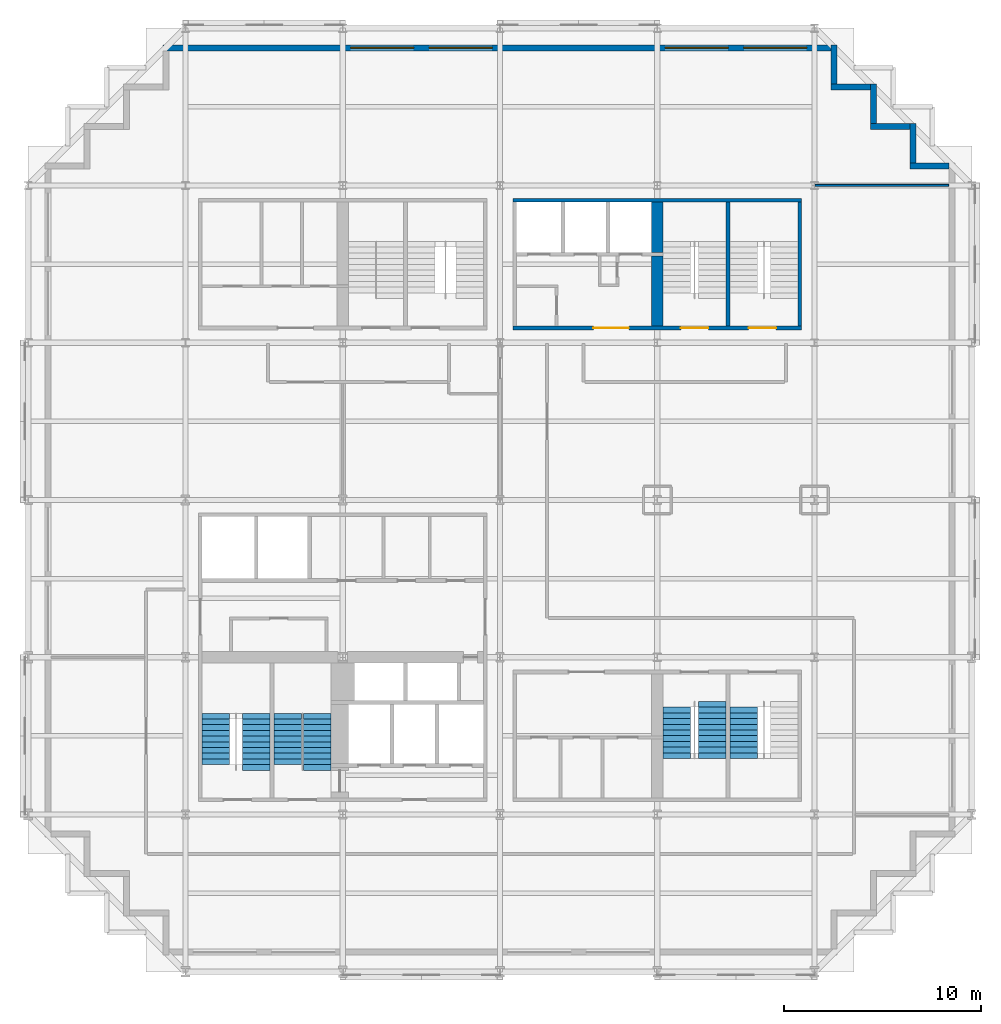
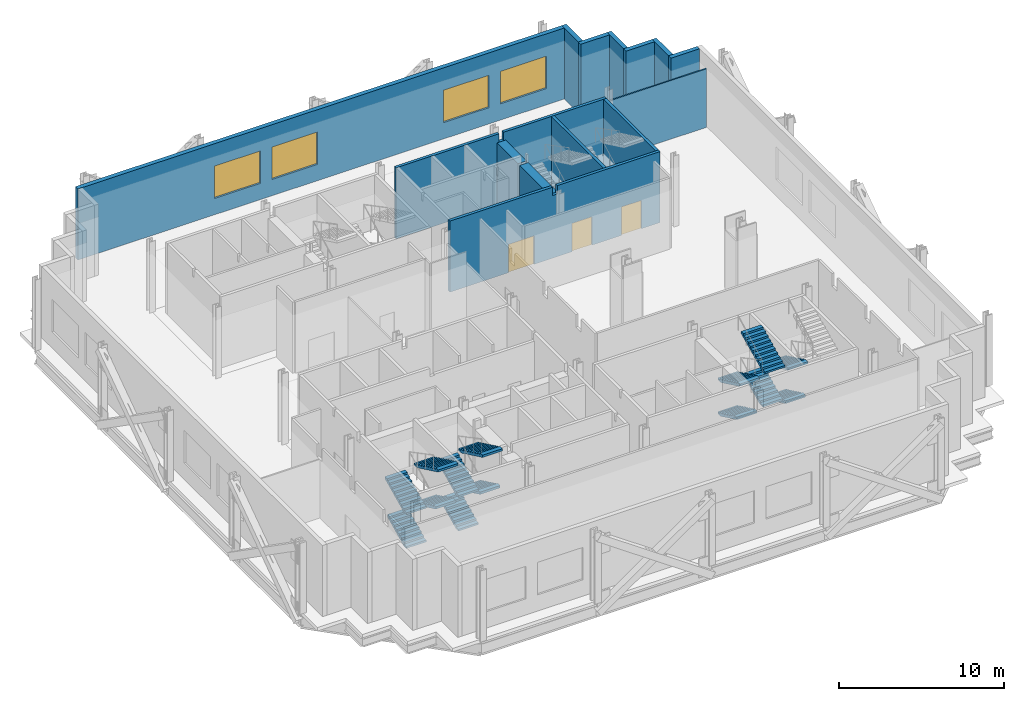
# One storey, part 8 of 10: 14 stair flights, 14 walls, 4 windows, 3 doors, 7 openings, 4 elements without a shape of their own.
"""IFC4 building model written with IfcOpenShell, lengths in metres."""

from ifc_helpers import new_model, si_unit, direction, frame, frame_2d, origin, place, context, subcontext, project, spatial, polyline, rectangle, outline, extrude, material, layer, layer_set, type_object, element, fill, aggregate, save


model = new_model("IFC4")

# Units and contexts
model_context = context("Model", 3, precision=1e-05, world=origin(), true_north=direction((0.0, 1.0)))
body_context = subcontext(model_context, "Body", "Model", "MODEL_VIEW")
ifc_project = project(units=[si_unit("LENGTHUNIT", "METRE"), si_unit("AREAUNIT", "SQUARE_METRE"), si_unit("VOLUMEUNIT", "CUBIC_METRE"), si_unit("PLANEANGLEUNIT", "RADIAN"), si_unit("MASSUNIT", "GRAM", prefix="KILO")], contexts=[model_context])

# Site, building, storey
site_placement = place(None, origin())
site = spatial("IfcSite", under=ifc_project, at=site_placement, CompositionType="ELEMENT")
building_placement = place(site_placement, origin())
building = spatial("IfcBuilding", under=site, at=building_placement, Name="Immortelle Media Tower", CompositionType="ELEMENT")
storey_placement = place(building_placement, frame((0.0, 0.0, 29.39990234375)))
storey = spatial("IfcBuildingStorey", under=building, at=storey_placement, Name="L03", CompositionType="ELEMENT", Elevation=29.39990234375)

# Walls
ifc_material_1 = material(Name="Pale aluminium cladding panel", Category="aluminium")
ifc_layer_1 = layer(ifc_material_1, 0.030029296875)
ifc_material_2 = material(Name="Steel ASTM A653 SS Gr 50 stud frame with mineral wool", Category="steel")
ifc_layer_2 = layer(ifc_material_2, 0.257568359375)
ifc_material_3 = material(Name="Moisture-resistant gypsum board", Category="gypsum")
ifc_layer_3 = layer(ifc_material_3, 0.012451171875)
ifc_layer_set_1 = layer_set([ifc_layer_1, ifc_layer_2, ifc_layer_3], Name="Steel ASTM A653 SS Gr 50 stud frame with mineral wool")
wall_type_1 = type_object("IfcWallType", Name="Pale metal clad wall 300", PredefinedType="STANDARD", material=ifc_layer_set_1)
for number, where, z_axis, x_axis, name in (
    (1, (46.85009765625, 41.0, 0.0), (0.0, 0.0, 1.0), (-1.0, 0.0, 0.0), "Support floor wall L03 N 15"),
    (2, (45.0, 41.14990234375, 0.0), (0.0, 0.0, 1.0), (0.0, 1.0, 0.0), "Support floor wall L03 E 16"),
    (3, (44.85009765625, 43.0, 0.0), (0.0, 0.0, 1.0), (-1.0, 0.0, 0.0), "Support floor wall L03 N 17"),
    (4, (43.0, 43.14990234375, 0.0), (0.0, 0.0, 1.0), (0.0, 1.0, 0.0), "Support floor wall L03 E 18"),
    (5, (42.85009765625, 45.0, 0.0), (0.0, 0.0, 1.0), (-1.0, 0.0, 0.0), "Support floor wall L03 N 19"),
    (6, (41.0, 45.14990234375, 0.0), (0.0, 0.0, 1.0), (0.0, 1.0, 0.0), "Support floor wall L03 E 20"),
):
    element("IfcWall", number, at=place(storey_placement, frame(where, z_axis=z_axis, x_axis=x_axis)), inside=storey, type_object=wall_type_1, Name=name, PredefinedType="STANDARD", context=body_context, shape_type="SweptSolid", body=[
        extrude(rectangle(XDim=2.0, YDim=0.300048828125, at=frame_2d((1.0, 0.0))), origin(), (0.0, 0.0, 1.0), 5.25),
    ])

# Wall, openings, windows
wall_1_placement = place(storey_placement, frame((40.85009765625, 47.0, 0.0), z_axis=(0.0, 0.0, 1.0), x_axis=(-1.0, 0.0, 0.0)))
wall_1 = element("IfcWall", 7, at=wall_1_placement, inside=storey, type_object=wall_type_1, Name="Support floor wall L03 N 21", PredefinedType="STANDARD", context=body_context, shape_type="SweptSolid", body=[
    extrude(rectangle(XDim=34.0, YDim=0.300048828125, at=frame_2d((17.0, 0.0))), origin(), (0.0, 0.0, 1.0), 5.25),
])
opening_1_placement = place(wall_1_placement, frame((1.25, 0.0, 1.199951171875)))
opening_1 = element("IfcOpeningElement", 8, at=opening_1_placement, cuts=wall_1, Name="Opening WE1", PredefinedType="OPENING", context=body_context, shape_type="SweptSolid", body=[
    extrude(rectangle(XDim=3.199951171875, YDim=2.39990234375, at=frame_2d((1.60009765625, 1.199951171875))), frame((0.0, 0.159912109375, 0.0), z_axis=(0.0, -1.0, 0.0), x_axis=(1.0, 0.0, 0.0)), (0.0, 0.0, 1.0), 0.320068359375),
])
opening_2_placement = place(wall_1_placement, frame((5.25, 0.0, 1.199951171875)))
opening_2 = element("IfcOpeningElement", 9, at=opening_2_placement, cuts=wall_1, Name="Opening WE1", PredefinedType="OPENING", context=body_context, shape_type="SweptSolid", body=[
    extrude(rectangle(XDim=3.199951171875, YDim=2.39990234375, at=frame_2d((1.60009765625, 1.199951171875))), frame((0.0, 0.159912109375, 0.0), z_axis=(0.0, -1.0, 0.0), x_axis=(1.0, 0.0, 0.0)), (0.0, 0.0, 1.0), 0.320068359375),
])
opening_3_placement = place(wall_1_placement, frame((17.25, 0.0, 1.199951171875)))
opening_3 = element("IfcOpeningElement", 10, at=opening_3_placement, cuts=wall_1, Name="Opening WE1", PredefinedType="OPENING", context=body_context, shape_type="SweptSolid", body=[
    extrude(rectangle(XDim=3.199951171875, YDim=2.39990234375, at=frame_2d((1.60009765625, 1.199951171875))), frame((0.0, 0.159912109375, 0.0), z_axis=(0.0, -1.0, 0.0), x_axis=(1.0, 0.0, 0.0)), (0.0, 0.0, 1.0), 0.320068359375),
])
opening_4_placement = place(wall_1_placement, frame((21.25, 0.0, 1.199951171875)))
opening_4 = element("IfcOpeningElement", 11, at=opening_4_placement, cuts=wall_1, Name="Opening WE1", PredefinedType="OPENING", context=body_context, shape_type="SweptSolid", body=[
    extrude(rectangle(XDim=3.199951171875, YDim=2.39990234375, at=frame_2d((1.60009765625, 1.199951171875))), frame((0.0, 0.159912109375, 0.0), z_axis=(0.0, -1.0, 0.0), x_axis=(1.0, 0.0, 0.0)), (0.0, 0.0, 1.0), 0.320068359375),
])
ifc_material_4 = material(Name="Aluminium frame, double glazed 6-16-6 low-e", Category="aluminium")
window_type = type_object("IfcWindowType", Name="Ribbon window 3200", PartitioningType="SINGLE_PANEL", PredefinedType="WINDOW", material=ifc_material_4)
window_1_placement = place(opening_1_placement, origin())
window_1 = element("IfcWindow", 12, at=window_1_placement, inside=storey, type_object=window_type, Name="Ribbon window L03-1", OverallHeight=2.39990234375, OverallWidth=3.199951171875, PartitioningType="SINGLE_PANEL", PredefinedType="WINDOW", context=body_context, shape_type="SweptSolid", body=[
    extrude(rectangle(XDim=3.199951171875, YDim=2.39990234375, at=frame_2d((1.60009765625, 1.199951171875))), frame((0.0, 0.030029296875, 0.0), z_axis=(0.0, -1.0, 0.0), x_axis=(1.0, 0.0, 0.0)), (0.0, 0.0, 1.0), 0.06005859375),
])
fill(opening_1, window_1)
window_2_placement = place(opening_2_placement, origin())
window_2 = element("IfcWindow", 13, at=window_2_placement, inside=storey, type_object=window_type, Name="Ribbon window L03-2", OverallHeight=2.39990234375, OverallWidth=3.199951171875, PartitioningType="SINGLE_PANEL", PredefinedType="WINDOW", context=body_context, shape_type="SweptSolid", body=[
    extrude(rectangle(XDim=3.199951171875, YDim=2.39990234375, at=frame_2d((1.60009765625, 1.199951171875))), frame((0.0, 0.030029296875, 0.0), z_axis=(0.0, -1.0, 0.0), x_axis=(1.0, 0.0, 0.0)), (0.0, 0.0, 1.0), 0.06005859375),
])
fill(opening_2, window_2)
window_3_placement = place(opening_3_placement, origin())
window_3 = element("IfcWindow", 14, at=window_3_placement, inside=storey, type_object=window_type, Name="Ribbon window L03-3", OverallHeight=2.39990234375, OverallWidth=3.199951171875, PartitioningType="SINGLE_PANEL", PredefinedType="WINDOW", context=body_context, shape_type="SweptSolid", body=[
    extrude(rectangle(XDim=3.199951171875, YDim=2.39990234375, at=frame_2d((1.60009765625, 1.199951171875))), frame((0.0, 0.030029296875, 0.0), z_axis=(0.0, -1.0, 0.0), x_axis=(1.0, 0.0, 0.0)), (0.0, 0.0, 1.0), 0.06005859375),
])
fill(opening_3, window_3)
window_4_placement = place(opening_4_placement, origin())
window_4 = element("IfcWindow", 15, at=window_4_placement, inside=storey, type_object=window_type, Name="Ribbon window L03-4", OverallHeight=2.39990234375, OverallWidth=3.199951171875, PartitioningType="SINGLE_PANEL", PredefinedType="WINDOW", context=body_context, shape_type="SweptSolid", body=[
    extrude(rectangle(XDim=3.199951171875, YDim=2.39990234375, at=frame_2d((1.60009765625, 1.199951171875))), frame((0.0, 0.030029296875, 0.0), z_axis=(0.0, -1.0, 0.0), x_axis=(1.0, 0.0, 0.0)), (0.0, 0.0, 1.0), 0.06005859375),
])
fill(opening_4, window_4)

# Wall
ifc_material_5 = material(Name="Gypsum board", Category="gypsum")
ifc_layer_4 = layer(ifc_material_5, 0.012451171875)
ifc_layer_5 = layer(ifc_material_2, 0.074951171875)
ifc_layer_6 = layer(ifc_material_5, 0.012451171875)
ifc_layer_set_2 = layer_set([ifc_layer_4, ifc_layer_5, ifc_layer_6], Name="Steel ASTM A653 SS Gr 50 stud frame with mineral wool")
wall_type_2 = type_object("IfcWallType", Name="Partition 100", PredefinedType="PARTITIONING", material=ifc_layer_set_2)
wall_2_placement = place(storey_placement, frame((40.030029296875, 40.0, 0.0), z_axis=(0.0, 0.0, 1.0), x_axis=(1.0, 0.0, 0.0)))
element("IfcWall", 16, at=wall_2_placement, inside=storey, type_object=wall_type_2, Name="Partition L03-027", PredefinedType="PARTITIONING", context=body_context, shape_type="SweptSolid", body=[
    extrude(rectangle(XDim=6.7900390625, YDim=0.10009765625, at=frame_2d((3.39501953125, 0.0))), origin(), (0.0, 0.0, 1.0), 4.322998046875),
])

# Wall, openings, doors
ifc_material_6 = material(Name="Concrete C60", Category="concrete")
ifc_layer_7 = layer(ifc_material_6, 0.199951171875)
ifc_layer_set_3 = layer_set([ifc_layer_7], Name="Concrete C60")
wall_type_3 = type_object("IfcWallType", Name="Stair shaft wall 200", PredefinedType="PARTITIONING", material=ifc_layer_set_3)
wall_3_placement = place(storey_placement, frame((24.64990234375, 32.75, 0.0), z_axis=(0.0, 0.0, 1.0), x_axis=(1.0, 0.0, 0.0)))
wall_3 = element("IfcWall", 17, at=wall_3_placement, inside=storey, type_object=wall_type_3, Name="Stair shaft wall NE", PredefinedType="PARTITIONING", context=body_context, shape_type="SweptSolid", body=[
    extrude(outline(polyline([(0.0, 0.0), (14.7001953125, 0.0), (14.699951171875, 5.25), (7.51708984375, 5.25), (7.51611328125, 4.632080078125), (7.18408203125, 4.632080078125), (7.18310546875, 5.25), (0.0, 5.25), (0.0, 0.0)])), frame((0.0, 0.10009765625, 0.0), z_axis=(0.0, -1.0, 0.0), x_axis=(1.0, 0.0, 0.0)), (0.0, 0.0, 1.0), 0.199951171875),
])
opening_5_placement = place(wall_3_placement, frame((4.10009765625, 0.0, 0.0)))
opening_5 = element("IfcOpeningElement", 18, at=opening_5_placement, cuts=wall_3, Name="Opening P3-K030", PredefinedType="OPENING", context=body_context, shape_type="SweptSolid", body=[
    extrude(rectangle(XDim=1.800048828125, YDim=2.10009765625, at=frame_2d((0.89990234375, 1.050048828125))), frame((0.0, 0.10986328125, 0.0), z_axis=(0.0, -1.0, 0.0), x_axis=(1.0, 0.0, 0.0)), (0.0, 0.0, 1.0), 0.219970703125),
])
opening_6_placement = place(wall_3_placement, frame((8.550048828125, 0.0, 0.0)))
opening_6 = element("IfcOpeningElement", 19, at=opening_6_placement, cuts=wall_3, Name="Opening P3-K033", PredefinedType="OPENING", context=body_context, shape_type="SweptSolid", body=[
    extrude(rectangle(XDim=1.39990234375, YDim=2.10009765625, at=frame_2d((0.699951171875, 1.050048828125))), frame((0.0, 0.10986328125, 0.0), z_axis=(0.0, -1.0, 0.0), x_axis=(1.0, 0.0, 0.0)), (0.0, 0.0, 1.0), 0.219970703125),
])
opening_7_placement = place(wall_3_placement, frame((12.0, 0.0, 0.0)))
opening_7 = element("IfcOpeningElement", 20, at=opening_7_placement, cuts=wall_3, Name="Opening P3-K034", PredefinedType="OPENING", context=body_context, shape_type="SweptSolid", body=[
    extrude(rectangle(XDim=1.39990234375, YDim=2.10009765625, at=frame_2d((0.699951171875, 1.050048828125))), frame((0.0, 0.10986328125, 0.0), z_axis=(0.0, -1.0, 0.0), x_axis=(1.0, 0.0, 0.0)), (0.0, 0.0, 1.0), 0.219970703125),
])
ifc_material_7 = material(Name="Galvanised steel door leaf and frame ASTM A653", Category="steel")
door_type_1 = type_object("IfcDoorType", Name="Lift lobby door 1800 x 2100", OperationType="DOUBLE_DOOR_SINGLE_SWING", PredefinedType="NOTDEFINED", material=ifc_material_7)
door_1_placement = place(opening_5_placement, origin())
door_1 = element("IfcDoor", 21, at=door_1_placement, inside=storey, type_object=door_type_1, Name="Lift lobby P3-K030", OperationType="DOUBLE_DOOR_SINGLE_SWING", OverallHeight=2.10009765625, OverallWidth=1.800048828125, PredefinedType="NOTDEFINED", context=body_context, shape_type="SweptSolid", body=[
    extrude(rectangle(XDim=1.800048828125, YDim=2.10009765625, at=frame_2d((0.89990234375, 1.050048828125))), frame((0.0, 0.02490234375, 0.0), z_axis=(0.0, -1.0, 0.0), x_axis=(1.0, 0.0, 0.0)), (0.0, 0.0, 1.0), 0.050048828125),
])
fill(opening_5, door_1)
door_type_2 = type_object("IfcDoorType", Name="Stair door 1400 x 2100", OperationType="DOUBLE_DOOR_SINGLE_SWING", PredefinedType="NOTDEFINED", material=ifc_material_7)
door_2_placement = place(opening_6_placement, origin())
door_2 = element("IfcDoor", 22, at=door_2_placement, inside=storey, type_object=door_type_2, Name="Stair P3-K033", OperationType="DOUBLE_DOOR_SINGLE_SWING", OverallHeight=2.10009765625, OverallWidth=1.39990234375, PredefinedType="NOTDEFINED", context=body_context, shape_type="SweptSolid", body=[
    extrude(rectangle(XDim=1.39990234375, YDim=2.10009765625, at=frame_2d((0.699951171875, 1.050048828125))), frame((0.0, 0.02490234375, 0.0), z_axis=(0.0, -1.0, 0.0), x_axis=(1.0, 0.0, 0.0)), (0.0, 0.0, 1.0), 0.050048828125),
])
fill(opening_6, door_2)
door_3_placement = place(opening_7_placement, origin())
door_3 = element("IfcDoor", 23, at=door_3_placement, inside=storey, type_object=door_type_2, Name="Stair P3-K034", OperationType="DOUBLE_DOOR_SINGLE_SWING", OverallHeight=2.10009765625, OverallWidth=1.39990234375, PredefinedType="NOTDEFINED", context=body_context, shape_type="SweptSolid", body=[
    extrude(rectangle(XDim=1.39990234375, YDim=2.10009765625, at=frame_2d((0.699951171875, 1.050048828125))), frame((0.0, 0.02490234375, 0.0), z_axis=(0.0, -1.0, 0.0), x_axis=(1.0, 0.0, 0.0)), (0.0, 0.0, 1.0), 0.050048828125),
])
fill(opening_7, door_3)

# Walls
wall_4_placement = place(storey_placement, frame((24.64990234375, 39.25, 0.0), z_axis=(0.0, 0.0, 1.0), x_axis=(1.0, 0.0, 0.0)))
element("IfcWall", 24, at=wall_4_placement, inside=storey, type_object=wall_type_3, Name="Stair shaft wall NE", PredefinedType="PARTITIONING", context=body_context, shape_type="SweptSolid", body=[
    extrude(outline(polyline([(0.0, 0.0), (14.7001953125, 0.0), (14.699951171875, 5.25), (7.51708984375, 5.25), (7.51611328125, 4.632080078125), (7.18408203125, 4.632080078125), (7.18310546875, 5.25), (0.0, 5.25), (0.0, 0.0)])), frame((0.0, 0.10009765625, 0.0), z_axis=(0.0, -1.0, 0.0), x_axis=(1.0, 0.0, 0.0)), (0.0, 0.0, 1.0), 0.199951171875),
])
for number, where, z_axis, x_axis, name in (
    (25, (35.60009765625, 32.85009765625, 0.0), (0.0, 0.0, 1.0), (0.0, 1.0, 0.0), "Stair shaft wall NE"),
    (26, (39.25, 32.85009765625, 0.0), (0.0, 0.0, 1.0), (0.0, 1.0, 0.0), "Stair shaft wall NE"),
):
    element("IfcWall", number, at=place(storey_placement, frame(where, z_axis=z_axis, x_axis=x_axis)), inside=storey, type_object=wall_type_3, Name=name, PredefinedType="PARTITIONING", context=body_context, shape_type="SweptSolid", body=[
        extrude(rectangle(XDim=6.2998046875, YDim=0.199951171875, at=frame_2d((3.14990234375, 0.0))), origin(), (0.0, 0.0, 1.0), 5.25),
    ])
ifc_layer_8 = layer(ifc_material_6, 0.60009765625)
ifc_layer_set_4 = layer_set([ifc_layer_8], Name="Concrete C60")
wall_type_4 = type_object("IfcWallType", Name="Stair shaft wall 600", PredefinedType="PARTITIONING", material=ifc_layer_set_4)
wall_5_placement = place(storey_placement, frame((32.0, 32.85009765625, 0.0), z_axis=(0.0, 0.0, 1.0), x_axis=(0.0, 1.0, 0.0)))
element("IfcWall", 27, at=wall_5_placement, inside=storey, type_object=wall_type_4, Name="Stair shaft wall NE", PredefinedType="PARTITIONING", context=body_context, shape_type="SweptSolid", body=[
    extrude(rectangle(XDim=3.5498046875, YDim=0.60009765625, at=frame_2d((1.77490234375, 0.0))), origin(), (0.0, 0.0, 1.0), 4.632080078125),
])
wall_6_placement = place(storey_placement, frame((32.0, 36.60009765625, 0.0), z_axis=(0.0, 0.0, 1.0), x_axis=(0.0, 1.0, 0.0)))
element("IfcWall", 28, at=wall_6_placement, inside=storey, type_object=wall_type_4, Name="Stair shaft wall NE", PredefinedType="PARTITIONING", context=body_context, shape_type="SweptSolid", body=[
    extrude(rectangle(XDim=2.5498046875, YDim=0.60009765625, at=frame_2d((1.27490234375, 0.0))), origin(), (0.0, 0.0, 1.0), 4.632080078125),
])

# Stair, stair flights
ifc_material_8 = material(Name="Steel ASTM A992 Gr 50", Category="steel")
stair_type = type_object("IfcStairType", Name="Stair with flights", PredefinedType="DOUBLE_RETURN_STAIR", material=ifc_material_8)
stair_1_placement = place(storey_placement, origin())
stair_1 = element("IfcStair", 29, at=stair_1_placement, inside=storey, type_object=stair_type, Name="Exit stair SW1", PredefinedType="DOUBLE_RETURN_STAIR")
stair_flight_type = type_object("IfcStairFlightType", Name="Stair flight 1400", PredefinedType="STRAIGHT", material=ifc_material_8)
stair_flight_1_placement = place(storey_placement, frame((9.550048828125, 10.5400390625, 0.0), z_axis=(0.0, 0.0, 1.0), x_axis=(0.0, 1.0, 0.0)))
stair_flight_1 = element("IfcStairFlight", 30, at=stair_flight_1_placement, type_object=stair_flight_type, Name="ST SW1 flight 1", NumberOfRisers=9, NumberOfTreads=8, PredefinedType="STRAIGHT", RiserHeight=0.138461538, TreadLength=0.29, context=body_context, shape_type="SweptSolid", body=[
    extrude(outline(polyline([(0.0, 0.0), (0.0, 0.138427734375), (0.2900390625, 0.138427734375), (0.2900390625, 0.27685546875), (0.580078125, 0.27685546875), (0.580078125, 0.415283203125), (0.8701171875, 0.415283203125), (0.8701171875, 0.553955078125), (1.159912109375, 0.553955078125), (1.159912109375, 0.6923828125), (1.449951171875, 0.6923828125), (1.449951171875, 0.830810546875), (1.739990234375, 0.830810546875), (1.739990234375, 0.96923828125), (2.030029296875, 0.96923828125), (2.030029296875, 1.107666015625), (2.320068359375, 1.107666015625), (2.320068359375, 1.24609375), (2.320068359375, 0.941650390625), (0.347900390625, 0.0), (0.0, 0.0)])), frame((0.0, 0.699951171875, 0.0), z_axis=(0.0, -1.0, 0.0), x_axis=(1.0, 0.0, 0.0)), (0.0, 0.0, 1.0), 1.39990234375),
])
stair_flight_2_placement = place(storey_placement, frame((11.60009765625, 12.860107421875, 1.246337890625), z_axis=(0.0, 0.0, 1.0), x_axis=(0.0, -1.0, 0.0)))
stair_flight_2 = element("IfcStairFlight", 31, at=stair_flight_2_placement, type_object=stair_flight_type, Name="ST SW1 flight 2", NumberOfRisers=9, NumberOfTreads=8, PredefinedType="STRAIGHT", RiserHeight=0.138461538, TreadLength=0.29, context=body_context, shape_type="SweptSolid", body=[
    extrude(outline(polyline([(0.0, 0.0), (0.0, 0.138427734375), (0.2900390625, 0.138427734375), (0.2900390625, 0.27685546875), (0.580078125, 0.27685546875), (0.580078125, 0.415283203125), (0.8701171875, 0.415283203125), (0.8701171875, 0.553955078125), (1.159912109375, 0.553955078125), (1.159912109375, 0.6923828125), (1.449951171875, 0.6923828125), (1.449951171875, 0.830810546875), (1.739990234375, 0.830810546875), (1.739990234375, 0.96923828125), (2.030029296875, 0.96923828125), (2.030029296875, 1.107666015625), (2.320068359375, 1.107666015625), (2.320068359375, 1.24609375), (2.320068359375, 0.941650390625), (0.347900390625, 0.0), (0.0, 0.0)])), frame((0.0, 0.699951171875, 0.0), z_axis=(0.0, -1.0, 0.0), x_axis=(1.0, 0.0, 0.0)), (0.0, 0.0, 1.0), 1.39990234375),
])
stair_flight_3_placement = place(storey_placement, frame((9.550048828125, 10.5400390625, 2.492431640625), z_axis=(0.0, 0.0, 1.0), x_axis=(0.0, 1.0, 0.0)))
stair_flight_3 = element("IfcStairFlight", 32, at=stair_flight_3_placement, type_object=stair_flight_type, Name="ST SW1 flight 3", NumberOfRisers=10, NumberOfTreads=9, PredefinedType="STRAIGHT", RiserHeight=0.138461538, TreadLength=0.29, context=body_context, shape_type="SweptSolid", body=[
    extrude(outline(polyline([(0.0, 0.0), (0.0, 0.138427734375), (0.2900390625, 0.138427734375), (0.2900390625, 0.27685546875), (0.580078125, 0.27685546875), (0.580078125, 0.415283203125), (0.8701171875, 0.415283203125), (0.8701171875, 0.553955078125), (1.159912109375, 0.553955078125), (1.159912109375, 0.6923828125), (1.449951171875, 0.6923828125), (1.449951171875, 0.830810546875), (1.739990234375, 0.830810546875), (1.739990234375, 0.96923828125), (2.030029296875, 0.96923828125), (2.030029296875, 1.107666015625), (2.320068359375, 1.107666015625), (2.320068359375, 1.24609375), (2.610107421875, 1.24609375), (2.610107421875, 1.384521484375), (2.610107421875, 1.080078125), (0.347900390625, 0.0), (0.0, 0.0)])), frame((0.0, 0.699951171875, 0.0), z_axis=(0.0, -1.0, 0.0), x_axis=(1.0, 0.0, 0.0)), (0.0, 0.0, 1.0), 1.39990234375),
])
stair_flight_4_placement = place(storey_placement, frame((11.60009765625, 13.14990234375, 3.876953125), z_axis=(0.0, 0.0, 1.0), x_axis=(0.0, -1.0, 0.0)))
stair_flight_4 = element("IfcStairFlight", 33, at=stair_flight_4_placement, type_object=stair_flight_type, Name="ST SW1 flight 4", NumberOfRisers=11, NumberOfTreads=10, PredefinedType="STRAIGHT", RiserHeight=0.138461538, TreadLength=0.29, context=body_context, shape_type="SweptSolid", body=[
    extrude(outline(polyline([(0.0, 0.0), (0.0, 0.138427734375), (0.2900390625, 0.138427734375), (0.2900390625, 0.27685546875), (0.580078125, 0.27685546875), (0.580078125, 0.415283203125), (0.8701171875, 0.415283203125), (0.8701171875, 0.553955078125), (1.159912109375, 0.553955078125), (1.159912109375, 0.6923828125), (1.449951171875, 0.6923828125), (1.449951171875, 0.830810546875), (1.739990234375, 0.830810546875), (1.739990234375, 0.96923828125), (2.030029296875, 0.96923828125), (2.030029296875, 1.107666015625), (2.320068359375, 1.107666015625), (2.320068359375, 1.24609375), (2.610107421875, 1.24609375), (2.610107421875, 1.384521484375), (2.89990234375, 1.384521484375), (2.89990234375, 1.523193359375), (2.89990234375, 1.218505859375), (0.347900390625, 0.0), (0.0, 0.0)])), frame((0.0, 0.699951171875, 0.0), z_axis=(0.0, -1.0, 0.0), x_axis=(1.0, 0.0, 0.0)), (0.0, 0.0, 1.0), 1.39990234375),
])
aggregate(stair_1, [stair_flight_1, stair_flight_2, stair_flight_3, stair_flight_4])

stair_2_placement = place(storey_placement, origin())
stair_2 = element("IfcStair", 34, at=stair_2_placement, inside=storey, type_object=stair_type, Name="Exit stair SW2", PredefinedType="DOUBLE_RETURN_STAIR")
stair_flight_5_placement = place(storey_placement, frame((13.199951171875, 10.5400390625, 0.0), z_axis=(0.0, 0.0, 1.0), x_axis=(0.0, 1.0, 0.0)))
stair_flight_5 = element("IfcStairFlight", 35, at=stair_flight_5_placement, type_object=stair_flight_type, Name="ST SW2 flight 1", NumberOfRisers=9, NumberOfTreads=8, PredefinedType="STRAIGHT", RiserHeight=0.138461538, TreadLength=0.29, context=body_context, shape_type="SweptSolid", body=[
    extrude(outline(polyline([(0.0, 0.0), (0.0, 0.138427734375), (0.2900390625, 0.138427734375), (0.2900390625, 0.27685546875), (0.580078125, 0.27685546875), (0.580078125, 0.415283203125), (0.8701171875, 0.415283203125), (0.8701171875, 0.553955078125), (1.159912109375, 0.553955078125), (1.159912109375, 0.6923828125), (1.449951171875, 0.6923828125), (1.449951171875, 0.830810546875), (1.739990234375, 0.830810546875), (1.739990234375, 0.96923828125), (2.030029296875, 0.96923828125), (2.030029296875, 1.107666015625), (2.320068359375, 1.107666015625), (2.320068359375, 1.24609375), (2.320068359375, 0.941650390625), (0.347900390625, 0.0), (0.0, 0.0)])), frame((0.0, 0.699951171875, 0.0), z_axis=(0.0, -1.0, 0.0), x_axis=(1.0, 0.0, 0.0)), (0.0, 0.0, 1.0), 1.39990234375),
])
stair_flight_6_placement = place(storey_placement, frame((14.699951171875, 12.860107421875, 1.246337890625), z_axis=(0.0, 0.0, 1.0), x_axis=(0.0, -1.0, 0.0)))
stair_flight_6 = element("IfcStairFlight", 36, at=stair_flight_6_placement, type_object=stair_flight_type, Name="ST SW2 flight 2", NumberOfRisers=9, NumberOfTreads=8, PredefinedType="STRAIGHT", RiserHeight=0.138461538, TreadLength=0.29, context=body_context, shape_type="SweptSolid", body=[
    extrude(outline(polyline([(0.0, 0.0), (0.0, 0.138427734375), (0.2900390625, 0.138427734375), (0.2900390625, 0.27685546875), (0.580078125, 0.27685546875), (0.580078125, 0.415283203125), (0.8701171875, 0.415283203125), (0.8701171875, 0.553955078125), (1.159912109375, 0.553955078125), (1.159912109375, 0.6923828125), (1.449951171875, 0.6923828125), (1.449951171875, 0.830810546875), (1.739990234375, 0.830810546875), (1.739990234375, 0.96923828125), (2.030029296875, 0.96923828125), (2.030029296875, 1.107666015625), (2.320068359375, 1.107666015625), (2.320068359375, 1.24609375), (2.320068359375, 0.941650390625), (0.347900390625, 0.0), (0.0, 0.0)])), frame((0.0, 0.699951171875, 0.0), z_axis=(0.0, -1.0, 0.0), x_axis=(1.0, 0.0, 0.0)), (0.0, 0.0, 1.0), 1.39990234375),
])
stair_flight_7_placement = place(storey_placement, frame((13.199951171875, 10.5400390625, 2.492431640625), z_axis=(0.0, 0.0, 1.0), x_axis=(0.0, 1.0, 0.0)))
stair_flight_7 = element("IfcStairFlight", 37, at=stair_flight_7_placement, type_object=stair_flight_type, Name="ST SW2 flight 3", NumberOfRisers=10, NumberOfTreads=9, PredefinedType="STRAIGHT", RiserHeight=0.138461538, TreadLength=0.29, context=body_context, shape_type="SweptSolid", body=[
    extrude(outline(polyline([(0.0, 0.0), (0.0, 0.138427734375), (0.2900390625, 0.138427734375), (0.2900390625, 0.27685546875), (0.580078125, 0.27685546875), (0.580078125, 0.415283203125), (0.8701171875, 0.415283203125), (0.8701171875, 0.553955078125), (1.159912109375, 0.553955078125), (1.159912109375, 0.6923828125), (1.449951171875, 0.6923828125), (1.449951171875, 0.830810546875), (1.739990234375, 0.830810546875), (1.739990234375, 0.96923828125), (2.030029296875, 0.96923828125), (2.030029296875, 1.107666015625), (2.320068359375, 1.107666015625), (2.320068359375, 1.24609375), (2.610107421875, 1.24609375), (2.610107421875, 1.384521484375), (2.610107421875, 1.080078125), (0.347900390625, 0.0), (0.0, 0.0)])), frame((0.0, 0.699951171875, 0.0), z_axis=(0.0, -1.0, 0.0), x_axis=(1.0, 0.0, 0.0)), (0.0, 0.0, 1.0), 1.39990234375),
])
stair_flight_8_placement = place(storey_placement, frame((14.699951171875, 13.14990234375, 3.876953125), z_axis=(0.0, 0.0, 1.0), x_axis=(0.0, -1.0, 0.0)))
stair_flight_8 = element("IfcStairFlight", 38, at=stair_flight_8_placement, type_object=stair_flight_type, Name="ST SW2 flight 4", NumberOfRisers=11, NumberOfTreads=10, PredefinedType="STRAIGHT", RiserHeight=0.138461538, TreadLength=0.29, context=body_context, shape_type="SweptSolid", body=[
    extrude(outline(polyline([(0.0, 0.0), (0.0, 0.138427734375), (0.2900390625, 0.138427734375), (0.2900390625, 0.27685546875), (0.580078125, 0.27685546875), (0.580078125, 0.415283203125), (0.8701171875, 0.415283203125), (0.8701171875, 0.553955078125), (1.159912109375, 0.553955078125), (1.159912109375, 0.6923828125), (1.449951171875, 0.6923828125), (1.449951171875, 0.830810546875), (1.739990234375, 0.830810546875), (1.739990234375, 0.96923828125), (2.030029296875, 0.96923828125), (2.030029296875, 1.107666015625), (2.320068359375, 1.107666015625), (2.320068359375, 1.24609375), (2.610107421875, 1.24609375), (2.610107421875, 1.384521484375), (2.89990234375, 1.384521484375), (2.89990234375, 1.523193359375), (2.89990234375, 1.218505859375), (0.347900390625, 0.0), (0.0, 0.0)])), frame((0.0, 0.699951171875, 0.0), z_axis=(0.0, -1.0, 0.0), x_axis=(1.0, 0.0, 0.0)), (0.0, 0.0, 1.0), 1.39990234375),
])
aggregate(stair_2, [stair_flight_5, stair_flight_6, stair_flight_7, stair_flight_8])

stair_3_placement = place(storey_placement, origin())
stair_3 = element("IfcStair", 39, at=stair_3_placement, inside=storey, type_object=stair_type, Name="Exit stair SE1", PredefinedType="DOUBLE_RETURN_STAIR")
stair_flight_9_placement = place(storey_placement, frame((33.0, 13.4599609375, 0.0), z_axis=(0.0, 0.0, 1.0), x_axis=(0.0, -1.0, 0.0)))
stair_flight_9 = element("IfcStairFlight", 40, at=stair_flight_9_placement, type_object=stair_flight_type, Name="ST SE1 flight 1", NumberOfRisers=9, NumberOfTreads=8, PredefinedType="STRAIGHT", RiserHeight=0.138461538, TreadLength=0.29, context=body_context, shape_type="SweptSolid", body=[
    extrude(outline(polyline([(0.0, 0.0), (0.0, 0.138427734375), (0.2900390625, 0.138427734375), (0.2900390625, 0.27685546875), (0.580078125, 0.27685546875), (0.580078125, 0.415283203125), (0.8701171875, 0.415283203125), (0.8701171875, 0.553955078125), (1.159912109375, 0.553955078125), (1.159912109375, 0.6923828125), (1.449951171875, 0.6923828125), (1.449951171875, 0.830810546875), (1.739990234375, 0.830810546875), (1.739990234375, 0.96923828125), (2.030029296875, 0.96923828125), (2.030029296875, 1.107666015625), (2.320068359375, 1.107666015625), (2.320068359375, 1.24609375), (2.320068359375, 0.941650390625), (0.347900390625, 0.0), (0.0, 0.0)])), frame((0.0, 0.699951171875, 0.0), z_axis=(0.0, -1.0, 0.0), x_axis=(1.0, 0.0, 0.0)), (0.0, 0.0, 1.0), 1.39990234375),
])
stair_flight_10_placement = place(storey_placement, frame((34.800048828125, 11.139892578125, 1.246337890625), z_axis=(0.0, 0.0, 1.0), x_axis=(0.0, 1.0, 0.0)))
stair_flight_10 = element("IfcStairFlight", 41, at=stair_flight_10_placement, type_object=stair_flight_type, Name="ST SE1 flight 2", NumberOfRisers=9, NumberOfTreads=8, PredefinedType="STRAIGHT", RiserHeight=0.138461538, TreadLength=0.29, context=body_context, shape_type="SweptSolid", body=[
    extrude(outline(polyline([(0.0, 0.0), (0.0, 0.138427734375), (0.2900390625, 0.138427734375), (0.2900390625, 0.27685546875), (0.580078125, 0.27685546875), (0.580078125, 0.415283203125), (0.8701171875, 0.415283203125), (0.8701171875, 0.553955078125), (1.159912109375, 0.553955078125), (1.159912109375, 0.6923828125), (1.449951171875, 0.6923828125), (1.449951171875, 0.830810546875), (1.739990234375, 0.830810546875), (1.739990234375, 0.96923828125), (2.030029296875, 0.96923828125), (2.030029296875, 1.107666015625), (2.320068359375, 1.107666015625), (2.320068359375, 1.24609375), (2.320068359375, 0.941650390625), (0.347900390625, 0.0), (0.0, 0.0)])), frame((0.0, 0.699951171875, 0.0), z_axis=(0.0, -1.0, 0.0), x_axis=(1.0, 0.0, 0.0)), (0.0, 0.0, 1.0), 1.39990234375),
])
stair_flight_11_placement = place(storey_placement, frame((33.0, 13.4599609375, 2.492431640625), z_axis=(0.0, 0.0, 1.0), x_axis=(0.0, -1.0, 0.0)))
stair_flight_11 = element("IfcStairFlight", 42, at=stair_flight_11_placement, type_object=stair_flight_type, Name="ST SE1 flight 3", NumberOfRisers=10, NumberOfTreads=9, PredefinedType="STRAIGHT", RiserHeight=0.138461538, TreadLength=0.29, context=body_context, shape_type="SweptSolid", body=[
    extrude(outline(polyline([(0.0, 0.0), (0.0, 0.138427734375), (0.2900390625, 0.138427734375), (0.2900390625, 0.27685546875), (0.580078125, 0.27685546875), (0.580078125, 0.415283203125), (0.8701171875, 0.415283203125), (0.8701171875, 0.553955078125), (1.159912109375, 0.553955078125), (1.159912109375, 0.6923828125), (1.449951171875, 0.6923828125), (1.449951171875, 0.830810546875), (1.739990234375, 0.830810546875), (1.739990234375, 0.96923828125), (2.030029296875, 0.96923828125), (2.030029296875, 1.107666015625), (2.320068359375, 1.107666015625), (2.320068359375, 1.24609375), (2.610107421875, 1.24609375), (2.610107421875, 1.384521484375), (2.610107421875, 1.080078125), (0.347900390625, 0.0), (0.0, 0.0)])), frame((0.0, 0.699951171875, 0.0), z_axis=(0.0, -1.0, 0.0), x_axis=(1.0, 0.0, 0.0)), (0.0, 0.0, 1.0), 1.39990234375),
])
stair_flight_12_placement = place(storey_placement, frame((34.800048828125, 10.85009765625, 3.876953125), z_axis=(0.0, 0.0, 1.0), x_axis=(0.0, 1.0, 0.0)))
stair_flight_12 = element("IfcStairFlight", 43, at=stair_flight_12_placement, type_object=stair_flight_type, Name="ST SE1 flight 4", NumberOfRisers=11, NumberOfTreads=10, PredefinedType="STRAIGHT", RiserHeight=0.138461538, TreadLength=0.29, context=body_context, shape_type="SweptSolid", body=[
    extrude(outline(polyline([(0.0, 0.0), (0.0, 0.138427734375), (0.2900390625, 0.138427734375), (0.2900390625, 0.27685546875), (0.580078125, 0.27685546875), (0.580078125, 0.415283203125), (0.8701171875, 0.415283203125), (0.8701171875, 0.553955078125), (1.159912109375, 0.553955078125), (1.159912109375, 0.6923828125), (1.449951171875, 0.6923828125), (1.449951171875, 0.830810546875), (1.739990234375, 0.830810546875), (1.739990234375, 0.96923828125), (2.030029296875, 0.96923828125), (2.030029296875, 1.107666015625), (2.320068359375, 1.107666015625), (2.320068359375, 1.24609375), (2.610107421875, 1.24609375), (2.610107421875, 1.384521484375), (2.89990234375, 1.384521484375), (2.89990234375, 1.523193359375), (2.89990234375, 1.218505859375), (0.347900390625, 0.0), (0.0, 0.0)])), frame((0.0, 0.699951171875, 0.0), z_axis=(0.0, -1.0, 0.0), x_axis=(1.0, 0.0, 0.0)), (0.0, 0.0, 1.0), 1.39990234375),
])
aggregate(stair_3, [stair_flight_9, stair_flight_10, stair_flight_11, stair_flight_12])

stair_4_placement = place(storey_placement, origin())
stair_4 = element("IfcStair", 44, at=stair_4_placement, inside=storey, type_object=stair_type, Name="Exit stair SE2", PredefinedType="DOUBLE_RETURN_STAIR")
stair_flight_13_placement = place(storey_placement, frame((36.39990234375, 13.4599609375, 0.0), z_axis=(0.0, 0.0, 1.0), x_axis=(0.0, -1.0, 0.0)))
stair_flight_13 = element("IfcStairFlight", 45, at=stair_flight_13_placement, type_object=stair_flight_type, Name="ST SE2 flight 1", NumberOfRisers=9, NumberOfTreads=8, PredefinedType="STRAIGHT", RiserHeight=0.138461538, TreadLength=0.29, context=body_context, shape_type="SweptSolid", body=[
    extrude(outline(polyline([(0.0, 0.0), (0.0, 0.138427734375), (0.2900390625, 0.138427734375), (0.2900390625, 0.27685546875), (0.580078125, 0.27685546875), (0.580078125, 0.415283203125), (0.8701171875, 0.415283203125), (0.8701171875, 0.553955078125), (1.159912109375, 0.553955078125), (1.159912109375, 0.6923828125), (1.449951171875, 0.6923828125), (1.449951171875, 0.830810546875), (1.739990234375, 0.830810546875), (1.739990234375, 0.96923828125), (2.030029296875, 0.96923828125), (2.030029296875, 1.107666015625), (2.320068359375, 1.107666015625), (2.320068359375, 1.24609375), (2.320068359375, 0.941650390625), (0.347900390625, 0.0), (0.0, 0.0)])), frame((0.0, 0.699951171875, 0.0), z_axis=(0.0, -1.0, 0.0), x_axis=(1.0, 0.0, 0.0)), (0.0, 0.0, 1.0), 1.39990234375),
])
stair_flight_14_placement = place(storey_placement, frame((36.39990234375, 13.4599609375, 2.492431640625), z_axis=(0.0, 0.0, 1.0), x_axis=(0.0, -1.0, 0.0)))
stair_flight_14 = element("IfcStairFlight", 46, at=stair_flight_14_placement, type_object=stair_flight_type, Name="ST SE2 flight 3", NumberOfRisers=10, NumberOfTreads=9, PredefinedType="STRAIGHT", RiserHeight=0.138461538, TreadLength=0.29, context=body_context, shape_type="SweptSolid", body=[
    extrude(outline(polyline([(0.0, 0.0), (0.0, 0.138427734375), (0.2900390625, 0.138427734375), (0.2900390625, 0.27685546875), (0.580078125, 0.27685546875), (0.580078125, 0.415283203125), (0.8701171875, 0.415283203125), (0.8701171875, 0.553955078125), (1.159912109375, 0.553955078125), (1.159912109375, 0.6923828125), (1.449951171875, 0.6923828125), (1.449951171875, 0.830810546875), (1.739990234375, 0.830810546875), (1.739990234375, 0.96923828125), (2.030029296875, 0.96923828125), (2.030029296875, 1.107666015625), (2.320068359375, 1.107666015625), (2.320068359375, 1.24609375), (2.610107421875, 1.24609375), (2.610107421875, 1.384521484375), (2.610107421875, 1.080078125), (0.347900390625, 0.0), (0.0, 0.0)])), frame((0.0, 0.699951171875, 0.0), z_axis=(0.0, -1.0, 0.0), x_axis=(1.0, 0.0, 0.0)), (0.0, 0.0, 1.0), 1.39990234375),
])
aggregate(stair_4, [stair_flight_13, stair_flight_14])

save(model, "model.ifc")
